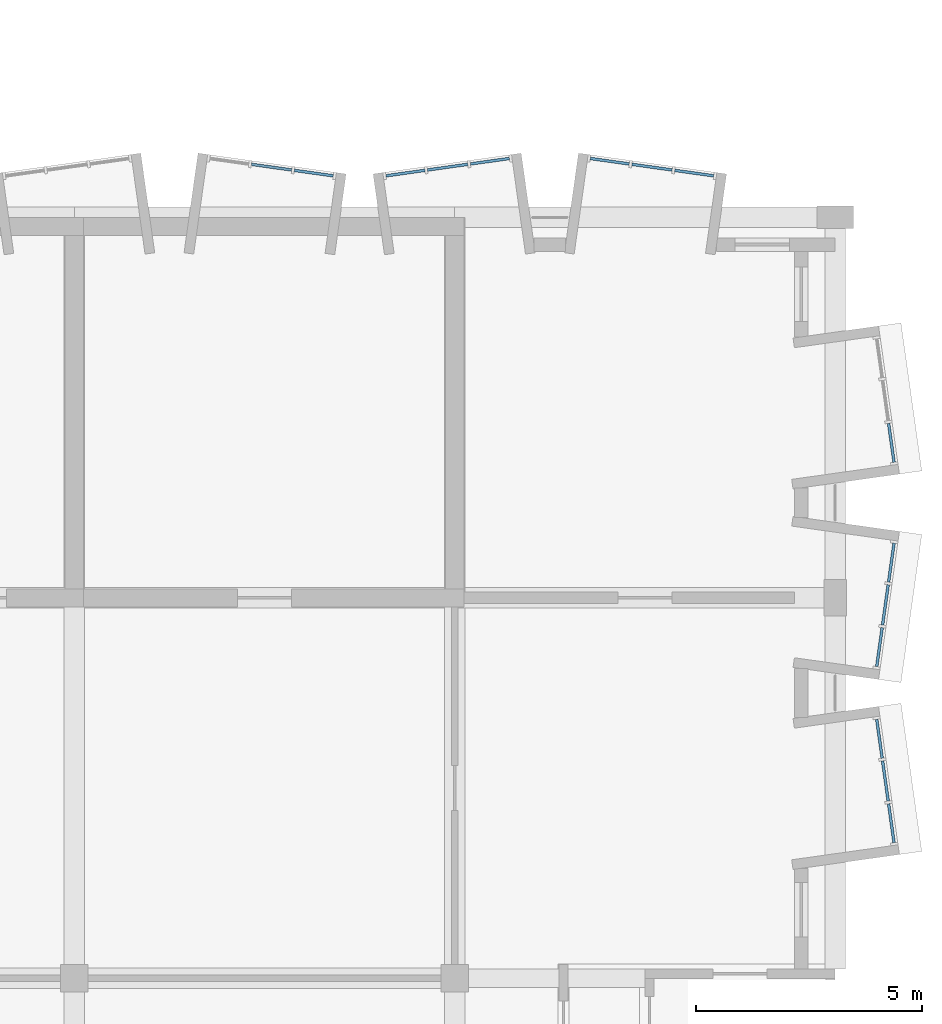
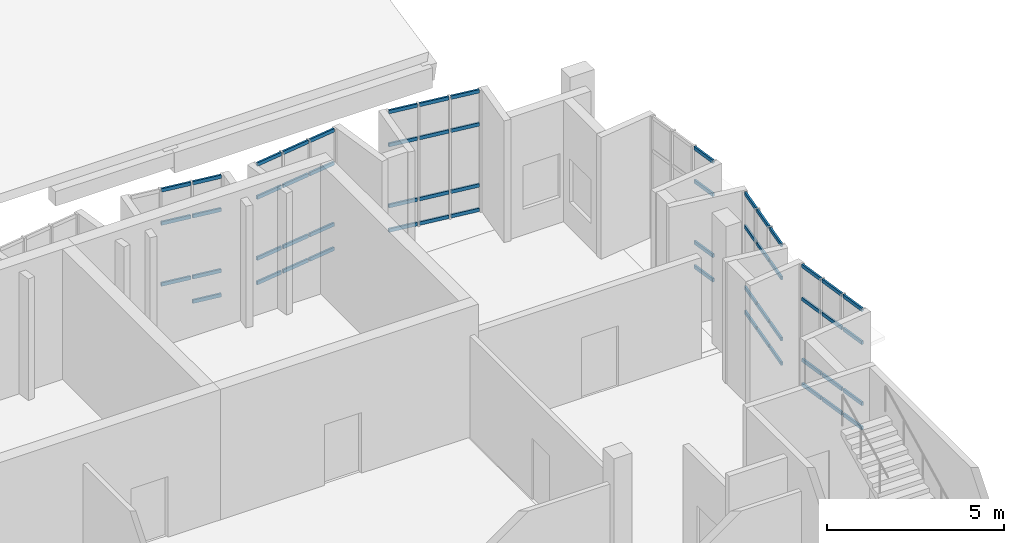
# One storey, part 7 of 19: 59 members, 6 elements without a shape of their own.
"""IFC4 building model written with IfcOpenShell, lengths in metres."""

from ifc_helpers import new_model, si_unit, direction, frame, origin, origin_2d, place, context, subcontext, project, spatial, rectangle, extrude, material, layer, layer_set, material_profile, profile_set, type_object, element, aggregate, save


model = new_model("IFC4")

# Units and contexts
model_context = context("Model", 3, precision=1e-05, world=origin(), true_north=direction((0.0, 1.0)))
body_context = subcontext(model_context, "Body", "Model", "MODEL_VIEW")
ifc_project = project(units=[si_unit("LENGTHUNIT", "METRE"), si_unit("AREAUNIT", "SQUARE_METRE"), si_unit("VOLUMEUNIT", "CUBIC_METRE"), si_unit("PLANEANGLEUNIT", "RADIAN"), si_unit("MASSUNIT", "GRAM", prefix="KILO")], contexts=[model_context])

# Site, building, storey
site_placement = place(None, origin())
site = spatial("IfcSite", under=ifc_project, at=site_placement, CompositionType="ELEMENT")
building_placement = place(site_placement, origin())
building = spatial("IfcBuilding", under=site, at=building_placement, Name="Kiln Court Media Centre", CompositionType="ELEMENT")
storey_placement = place(building_placement, frame((0.0, 0.0, 29.10009765625)))
storey = spatial("IfcBuildingStorey", under=building, at=storey_placement, Name="L06", CompositionType="ELEMENT", Elevation=29.10009765625)

# Curtain wall, members
ifc_material_1 = material(Name="Aluminium 6063-T6", Category="aluminium")
ifc_layer = layer(ifc_material_1, 0.1201171875)
ifc_layer_set = layer_set([ifc_layer], Name="Aluminium unitised bay curtain wall")
curtain_wall_type = type_object("IfcCurtainWallType", Name="Aluminium unitised bay curtain wall", PredefinedType="USERDEFINED", material=ifc_layer_set)
curtain_wall_1_placement = place(storey_placement, origin())
curtain_wall_1 = element("IfcCurtainWall", 1, at=curtain_wall_1_placement, inside=storey, type_object=curtain_wall_type, Name="BAY V6A-E-L06-09 front", ObjectType="UNITISED CURTAIN WALL", PredefinedType="USERDEFINED")
ifc_material_2 = material(Name="Aluminium 6063-T6", Category="aluminium")
ifc_material_profile = material_profile(ifc_material_2, rectangle(XDim=0.06005859375, YDim=0.1201171875, at=origin_2d()), Name="Aluminium transom 60x120")
ifc_profile_set = profile_set([ifc_material_profile], Name="Aluminium 6063-T6")
member_type = type_object("IfcMemberType", Name="Aluminium transom 60x120", PredefinedType="USERDEFINED", material=ifc_profile_set)
member_1_placement = place(storey_placement, frame((34.900390625, 11.394287109375, 0.059814453125), z_axis=(-0.139172815303, 0.990268108888, 0.0), x_axis=(-0.990268108888, -0.139172815303, 0.0)))
member_1 = element("IfcMember", 2, at=member_1_placement, type_object=member_type, Name="CW6-01 transom 1.1", ObjectType="TRANSOM", PredefinedType="USERDEFINED", context=body_context, shape_type="SweptSolid", body=[
    extrude(rectangle(XDim=0.06005859375, YDim=0.1201171875, at=origin_2d()), origin(), (0.0, 0.0, 1.0), 0.86669921875),
])
member_2_placement = place(storey_placement, frame((34.900390625, 11.394287109375, 0.89990234375), z_axis=(-0.139172815303, 0.990268108888, 0.0), x_axis=(-0.990268108888, -0.139172815303, 0.0)))
member_2 = element("IfcMember", 3, at=member_2_placement, type_object=member_type, Name="CW6-01 transom 1.2", ObjectType="TRANSOM", PredefinedType="USERDEFINED", context=body_context, shape_type="SweptSolid", body=[
    extrude(rectangle(XDim=0.06005859375, YDim=0.1201171875, at=origin_2d()), origin(), (0.0, 0.0, 1.0), 0.86669921875),
])
member_3_placement = place(storey_placement, frame((34.900390625, 11.394287109375, 3.0), z_axis=(-0.139172815303, 0.990268108888, 0.0), x_axis=(-0.990268108888, -0.139172815303, 0.0)))
member_3 = element("IfcMember", 4, at=member_3_placement, type_object=member_type, Name="CW6-01 transom 1.3", ObjectType="TRANSOM", PredefinedType="USERDEFINED", context=body_context, shape_type="SweptSolid", body=[
    extrude(rectangle(XDim=0.06005859375, YDim=0.1201171875, at=origin_2d()), origin(), (0.0, 0.0, 1.0), 0.86669921875),
])
member_4_placement = place(storey_placement, frame((34.900390625, 11.394287109375, 4.139892578125), z_axis=(-0.139172815303, 0.990268108888, 0.0), x_axis=(-0.990268108888, -0.139172815303, 0.0)))
member_4 = element("IfcMember", 5, at=member_4_placement, type_object=member_type, Name="CW6-01 transom 1.4", ObjectType="TRANSOM", PredefinedType="USERDEFINED", context=body_context, shape_type="SweptSolid", body=[
    extrude(rectangle(XDim=0.06005859375, YDim=0.1201171875, at=origin_2d()), origin(), (0.0, 0.0, 1.0), 0.86669921875),
])
member_5_placement = place(storey_placement, frame((34.771484375, 12.311767578125, 0.059814453125), z_axis=(-0.13913384707, 0.990273584723, 0.0), x_axis=(-0.990273584723, -0.13913384707, 0.0)))
member_5 = element("IfcMember", 6, at=member_5_placement, type_object=member_type, Name="CW6-01 transom 2.1", ObjectType="TRANSOM", PredefinedType="USERDEFINED", context=body_context, shape_type="SweptSolid", body=[
    extrude(rectangle(XDim=0.06005859375, YDim=0.1201171875, at=origin_2d()), origin(), (0.0, 0.0, 1.0), 0.896728515625),
])
member_6_placement = place(storey_placement, frame((34.771484375, 12.311767578125, 0.89990234375), z_axis=(-0.13913384707, 0.990273584723, 0.0), x_axis=(-0.990273584723, -0.13913384707, 0.0)))
member_6 = element("IfcMember", 7, at=member_6_placement, type_object=member_type, Name="CW6-01 transom 2.2", ObjectType="TRANSOM", PredefinedType="USERDEFINED", context=body_context, shape_type="SweptSolid", body=[
    extrude(rectangle(XDim=0.06005859375, YDim=0.1201171875, at=origin_2d()), origin(), (0.0, 0.0, 1.0), 0.896728515625),
])
member_7_placement = place(storey_placement, frame((34.771484375, 12.311767578125, 3.0), z_axis=(-0.13913384707, 0.990273584723, 0.0), x_axis=(-0.990273584723, -0.13913384707, 0.0)))
member_7 = element("IfcMember", 8, at=member_7_placement, type_object=member_type, Name="CW6-01 transom 2.3", ObjectType="TRANSOM", PredefinedType="USERDEFINED", context=body_context, shape_type="SweptSolid", body=[
    extrude(rectangle(XDim=0.06005859375, YDim=0.1201171875, at=origin_2d()), origin(), (0.0, 0.0, 1.0), 0.896728515625),
])
member_8_placement = place(storey_placement, frame((34.771484375, 12.311767578125, 4.139892578125), z_axis=(-0.13913384707, 0.990273584723, 0.0), x_axis=(-0.990273584723, -0.13913384707, 0.0)))
member_8 = element("IfcMember", 9, at=member_8_placement, type_object=member_type, Name="CW6-01 transom 2.4", ObjectType="TRANSOM", PredefinedType="USERDEFINED", context=body_context, shape_type="SweptSolid", body=[
    extrude(rectangle(XDim=0.06005859375, YDim=0.1201171875, at=origin_2d()), origin(), (0.0, 0.0, 1.0), 0.896728515625),
])
member_9_placement = place(storey_placement, frame((34.638427734375, 13.25927734375, 0.059814453125), z_axis=(-0.139172815303, 0.990268108888, 0.0), x_axis=(-0.990268108888, -0.139172815303, 0.0)))
member_9 = element("IfcMember", 10, at=member_9_placement, type_object=member_type, Name="CW6-01 transom 3.1", ObjectType="TRANSOM", PredefinedType="USERDEFINED", context=body_context, shape_type="SweptSolid", body=[
    extrude(rectangle(XDim=0.06005859375, YDim=0.1201171875, at=origin_2d()), origin(), (0.0, 0.0, 1.0), 0.86669921875),
])
member_10_placement = place(storey_placement, frame((34.638427734375, 13.25927734375, 0.89990234375), z_axis=(-0.139172815303, 0.990268108888, 0.0), x_axis=(-0.990268108888, -0.139172815303, 0.0)))
member_10 = element("IfcMember", 11, at=member_10_placement, type_object=member_type, Name="CW6-01 transom 3.2", ObjectType="TRANSOM", PredefinedType="USERDEFINED", context=body_context, shape_type="SweptSolid", body=[
    extrude(rectangle(XDim=0.06005859375, YDim=0.1201171875, at=origin_2d()), origin(), (0.0, 0.0, 1.0), 0.86669921875),
])
member_11_placement = place(storey_placement, frame((34.638427734375, 13.25927734375, 3.0), z_axis=(-0.139172815303, 0.990268108888, 0.0), x_axis=(-0.990268108888, -0.139172815303, 0.0)))
member_11 = element("IfcMember", 12, at=member_11_placement, type_object=member_type, Name="CW6-01 transom 3.3", ObjectType="TRANSOM", PredefinedType="USERDEFINED", context=body_context, shape_type="SweptSolid", body=[
    extrude(rectangle(XDim=0.06005859375, YDim=0.1201171875, at=origin_2d()), origin(), (0.0, 0.0, 1.0), 0.86669921875),
])
member_12_placement = place(storey_placement, frame((34.638427734375, 13.25927734375, 4.139892578125), z_axis=(-0.139172815303, 0.990268108888, 0.0), x_axis=(-0.990268108888, -0.139172815303, 0.0)))
member_12 = element("IfcMember", 13, at=member_12_placement, type_object=member_type, Name="CW6-01 transom 3.4", ObjectType="TRANSOM", PredefinedType="USERDEFINED", context=body_context, shape_type="SweptSolid", body=[
    extrude(rectangle(XDim=0.06005859375, YDim=0.1201171875, at=origin_2d()), origin(), (0.0, 0.0, 1.0), 0.86669921875),
])
aggregate(curtain_wall_1, [member_1, member_2, member_3, member_4, member_5, member_6, member_7, member_8, member_9, member_10, member_11, member_12])

curtain_wall_2_placement = place(storey_placement, origin())
curtain_wall_2 = element("IfcCurtainWall", 14, at=curtain_wall_2_placement, inside=storey, type_object=curtain_wall_type, Name="BAY V6A-E-L06-10 front", ObjectType="UNITISED CURTAIN WALL", PredefinedType="USERDEFINED")
member_13_placement = place(storey_placement, frame((34.517822265625, 15.282470703125, 0.059814453125), z_axis=(0.139133998951, 0.990273563383, 0.0), x_axis=(-0.990273563383, 0.139133998951, 0.0)))
member_13 = element("IfcMember", 15, at=member_13_placement, type_object=member_type, Name="CW6-02 transom 1.1", ObjectType="TRANSOM", PredefinedType="USERDEFINED", context=body_context, shape_type="SweptSolid", body=[
    extrude(rectangle(XDim=0.06005859375, YDim=0.1201171875, at=origin_2d()), origin(), (0.0, 0.0, 1.0), 0.866943359375),
])
member_14_placement = place(storey_placement, frame((34.517822265625, 15.282470703125, 0.89990234375), z_axis=(0.139133998951, 0.990273563383, 0.0), x_axis=(-0.990273563383, 0.139133998951, 0.0)))
member_14 = element("IfcMember", 16, at=member_14_placement, type_object=member_type, Name="CW6-02 transom 1.2", ObjectType="TRANSOM", PredefinedType="USERDEFINED", context=body_context, shape_type="SweptSolid", body=[
    extrude(rectangle(XDim=0.06005859375, YDim=0.1201171875, at=origin_2d()), origin(), (0.0, 0.0, 1.0), 0.866943359375),
])
member_15_placement = place(storey_placement, frame((34.517822265625, 15.282470703125, 3.0), z_axis=(0.139133998951, 0.990273563383, 0.0), x_axis=(-0.990273563383, 0.139133998951, 0.0)))
member_15 = element("IfcMember", 17, at=member_15_placement, type_object=member_type, Name="CW6-02 transom 1.3", ObjectType="TRANSOM", PredefinedType="USERDEFINED", context=body_context, shape_type="SweptSolid", body=[
    extrude(rectangle(XDim=0.06005859375, YDim=0.1201171875, at=origin_2d()), origin(), (0.0, 0.0, 1.0), 0.866943359375),
])
member_16_placement = place(storey_placement, frame((34.517822265625, 15.282470703125, 4.139892578125), z_axis=(0.139133998951, 0.990273563383, 0.0), x_axis=(-0.990273563383, 0.139133998951, 0.0)))
member_16 = element("IfcMember", 18, at=member_16_placement, type_object=member_type, Name="CW6-02 transom 1.4", ObjectType="TRANSOM", PredefinedType="USERDEFINED", context=body_context, shape_type="SweptSolid", body=[
    extrude(rectangle(XDim=0.06005859375, YDim=0.1201171875, at=origin_2d()), origin(), (0.0, 0.0, 1.0), 0.866943359375),
])
member_17_placement = place(storey_placement, frame((34.646728515625, 16.2001953125, 0.059814453125), z_axis=(0.13913384707, 0.990273584723, 0.0), x_axis=(-0.990273584723, 0.13913384707, 0.0)))
member_17 = element("IfcMember", 19, at=member_17_placement, type_object=member_type, Name="CW6-02 transom 2.1", ObjectType="TRANSOM", PredefinedType="USERDEFINED", context=body_context, shape_type="SweptSolid", body=[
    extrude(rectangle(XDim=0.06005859375, YDim=0.1201171875, at=origin_2d()), origin(), (0.0, 0.0, 1.0), 0.896728515625),
])
member_18_placement = place(storey_placement, frame((34.646728515625, 16.2001953125, 0.89990234375), z_axis=(0.13913384707, 0.990273584723, 0.0), x_axis=(-0.990273584723, 0.13913384707, 0.0)))
member_18 = element("IfcMember", 20, at=member_18_placement, type_object=member_type, Name="CW6-02 transom 2.2", ObjectType="TRANSOM", PredefinedType="USERDEFINED", context=body_context, shape_type="SweptSolid", body=[
    extrude(rectangle(XDim=0.06005859375, YDim=0.1201171875, at=origin_2d()), origin(), (0.0, 0.0, 1.0), 0.896728515625),
])
member_19_placement = place(storey_placement, frame((34.646728515625, 16.2001953125, 3.0), z_axis=(0.13913384707, 0.990273584723, 0.0), x_axis=(-0.990273584723, 0.13913384707, 0.0)))
member_19 = element("IfcMember", 21, at=member_19_placement, type_object=member_type, Name="CW6-02 transom 2.3", ObjectType="TRANSOM", PredefinedType="USERDEFINED", context=body_context, shape_type="SweptSolid", body=[
    extrude(rectangle(XDim=0.06005859375, YDim=0.1201171875, at=origin_2d()), origin(), (0.0, 0.0, 1.0), 0.896728515625),
])
member_20_placement = place(storey_placement, frame((34.646728515625, 16.2001953125, 4.139892578125), z_axis=(0.13913384707, 0.990273584723, 0.0), x_axis=(-0.990273584723, 0.13913384707, 0.0)))
member_20 = element("IfcMember", 22, at=member_20_placement, type_object=member_type, Name="CW6-02 transom 2.4", ObjectType="TRANSOM", PredefinedType="USERDEFINED", context=body_context, shape_type="SweptSolid", body=[
    extrude(rectangle(XDim=0.06005859375, YDim=0.1201171875, at=origin_2d()), origin(), (0.0, 0.0, 1.0), 0.896728515625),
])
member_21_placement = place(storey_placement, frame((34.77978515625, 17.1474609375, 0.059814453125), z_axis=(0.139133998951, 0.990273563383, 0.0), x_axis=(-0.990273563383, 0.139133998951, 0.0)))
member_21 = element("IfcMember", 23, at=member_21_placement, type_object=member_type, Name="CW6-02 transom 3.1", ObjectType="TRANSOM", PredefinedType="USERDEFINED", context=body_context, shape_type="SweptSolid", body=[
    extrude(rectangle(XDim=0.06005859375, YDim=0.1201171875, at=origin_2d()), origin(), (0.0, 0.0, 1.0), 0.866943359375),
])
member_22_placement = place(storey_placement, frame((34.77978515625, 17.1474609375, 0.89990234375), z_axis=(0.139133998951, 0.990273563383, 0.0), x_axis=(-0.990273563383, 0.139133998951, 0.0)))
member_22 = element("IfcMember", 24, at=member_22_placement, type_object=member_type, Name="CW6-02 transom 3.2", ObjectType="TRANSOM", PredefinedType="USERDEFINED", context=body_context, shape_type="SweptSolid", body=[
    extrude(rectangle(XDim=0.06005859375, YDim=0.1201171875, at=origin_2d()), origin(), (0.0, 0.0, 1.0), 0.866943359375),
])
member_23_placement = place(storey_placement, frame((34.77978515625, 17.1474609375, 3.0), z_axis=(0.139133998951, 0.990273563383, 0.0), x_axis=(-0.990273563383, 0.139133998951, 0.0)))
member_23 = element("IfcMember", 25, at=member_23_placement, type_object=member_type, Name="CW6-02 transom 3.3", ObjectType="TRANSOM", PredefinedType="USERDEFINED", context=body_context, shape_type="SweptSolid", body=[
    extrude(rectangle(XDim=0.06005859375, YDim=0.1201171875, at=origin_2d()), origin(), (0.0, 0.0, 1.0), 0.866943359375),
])
member_24_placement = place(storey_placement, frame((34.77978515625, 17.1474609375, 4.139892578125), z_axis=(0.139133998951, 0.990273563383, 0.0), x_axis=(-0.990273563383, 0.139133998951, 0.0)))
member_24 = element("IfcMember", 26, at=member_24_placement, type_object=member_type, Name="CW6-02 transom 3.4", ObjectType="TRANSOM", PredefinedType="USERDEFINED", context=body_context, shape_type="SweptSolid", body=[
    extrude(rectangle(XDim=0.06005859375, YDim=0.1201171875, at=origin_2d()), origin(), (0.0, 0.0, 1.0), 0.866943359375),
])
aggregate(curtain_wall_2, [member_13, member_14, member_15, member_16, member_17, member_18, member_19, member_20, member_21, member_22, member_23, member_24])

curtain_wall_3_placement = place(storey_placement, origin())
curtain_wall_3 = element("IfcCurtainWall", 27, at=curtain_wall_3_placement, inside=storey, type_object=curtain_wall_type, Name="BAY V6A-E-L06-11 front", ObjectType="UNITISED CURTAIN WALL", PredefinedType="USERDEFINED")
member_25_placement = place(storey_placement, frame((34.900390625, 19.794189453125, 0.059814453125), z_axis=(-0.139172815303, 0.990268108888, 0.0), x_axis=(-0.990268108888, -0.139172815303, 0.0)))
member_25 = element("IfcMember", 28, at=member_25_placement, type_object=member_type, Name="CW6-03 transom 1.1", ObjectType="TRANSOM", PredefinedType="USERDEFINED", context=body_context, shape_type="SweptSolid", body=[
    extrude(rectangle(XDim=0.06005859375, YDim=0.1201171875, at=origin_2d()), origin(), (0.0, 0.0, 1.0), 0.86669921875),
])
member_26_placement = place(storey_placement, frame((34.900390625, 19.794189453125, 0.89990234375), z_axis=(-0.139172815303, 0.990268108888, 0.0), x_axis=(-0.990268108888, -0.139172815303, 0.0)))
member_26 = element("IfcMember", 29, at=member_26_placement, type_object=member_type, Name="CW6-03 transom 1.2", ObjectType="TRANSOM", PredefinedType="USERDEFINED", context=body_context, shape_type="SweptSolid", body=[
    extrude(rectangle(XDim=0.06005859375, YDim=0.1201171875, at=origin_2d()), origin(), (0.0, 0.0, 1.0), 0.86669921875),
])
member_27_placement = place(storey_placement, frame((34.900390625, 19.794189453125, 3.0), z_axis=(-0.139172815303, 0.990268108888, 0.0), x_axis=(-0.990268108888, -0.139172815303, 0.0)))
member_27 = element("IfcMember", 30, at=member_27_placement, type_object=member_type, Name="CW6-03 transom 1.3", ObjectType="TRANSOM", PredefinedType="USERDEFINED", context=body_context, shape_type="SweptSolid", body=[
    extrude(rectangle(XDim=0.06005859375, YDim=0.1201171875, at=origin_2d()), origin(), (0.0, 0.0, 1.0), 0.86669921875),
])
member_28_placement = place(storey_placement, frame((34.900390625, 19.794189453125, 4.139892578125), z_axis=(-0.139172815303, 0.990268108888, 0.0), x_axis=(-0.990268108888, -0.139172815303, 0.0)))
member_28 = element("IfcMember", 31, at=member_28_placement, type_object=member_type, Name="CW6-03 transom 1.4", ObjectType="TRANSOM", PredefinedType="USERDEFINED", context=body_context, shape_type="SweptSolid", body=[
    extrude(rectangle(XDim=0.06005859375, YDim=0.1201171875, at=origin_2d()), origin(), (0.0, 0.0, 1.0), 0.86669921875),
])
aggregate(curtain_wall_3, [member_25, member_26, member_27, member_28])

curtain_wall_4_placement = place(storey_placement, origin())
curtain_wall_4 = element("IfcCurtainWall", 32, at=curtain_wall_4_placement, inside=storey, type_object=curtain_wall_type, Name="BAY V6A-N-L06-41 front", ObjectType="UNITISED CURTAIN WALL", PredefinedType="USERDEFINED")
member_29_placement = place(storey_placement, frame((20.7119140625, 26.37158203125, 0.89990234375), z_axis=(0.990273584723, -0.13913384707, 0.0), x_axis=(0.13913384707, 0.990273584723, 0.0)))
member_29 = element("IfcMember", 33, at=member_29_placement, type_object=member_type, Name="CW6-07 transom 2.2", ObjectType="TRANSOM", PredefinedType="USERDEFINED", context=body_context, shape_type="SweptSolid", body=[
    extrude(rectangle(XDim=0.06005859375, YDim=0.1201171875, at=origin_2d()), origin(), (0.0, 0.0, 1.0), 0.896728515625),
])
member_30_placement = place(storey_placement, frame((20.7119140625, 26.37158203125, 3.0), z_axis=(0.990273584723, -0.13913384707, 0.0), x_axis=(0.13913384707, 0.990273584723, 0.0)))
member_30 = element("IfcMember", 34, at=member_30_placement, type_object=member_type, Name="CW6-07 transom 2.3", ObjectType="TRANSOM", PredefinedType="USERDEFINED", context=body_context, shape_type="SweptSolid", body=[
    extrude(rectangle(XDim=0.06005859375, YDim=0.1201171875, at=origin_2d()), origin(), (0.0, 0.0, 1.0), 0.896728515625),
])
member_31_placement = place(storey_placement, frame((20.7119140625, 26.37158203125, 4.139892578125), z_axis=(0.990273584723, -0.13913384707, 0.0), x_axis=(0.13913384707, 0.990273584723, 0.0)))
member_31 = element("IfcMember", 35, at=member_31_placement, type_object=member_type, Name="CW6-07 transom 2.4", ObjectType="TRANSOM", PredefinedType="USERDEFINED", context=body_context, shape_type="SweptSolid", body=[
    extrude(rectangle(XDim=0.06005859375, YDim=0.1201171875, at=origin_2d()), origin(), (0.0, 0.0, 1.0), 0.896728515625),
])
member_32_placement = place(storey_placement, frame((21.6591796875, 26.23828125, 0.059814453125), z_axis=(0.990273563383, -0.139133998951, 0.0), x_axis=(0.139133998951, 0.990273563383, 0.0)))
member_32 = element("IfcMember", 36, at=member_32_placement, type_object=member_type, Name="CW6-07 transom 3.1", ObjectType="TRANSOM", PredefinedType="USERDEFINED", context=body_context, shape_type="SweptSolid", body=[
    extrude(rectangle(XDim=0.06005859375, YDim=0.1201171875, at=origin_2d()), origin(), (0.0, 0.0, 1.0), 0.866943359375),
])
member_33_placement = place(storey_placement, frame((21.6591796875, 26.23828125, 0.89990234375), z_axis=(0.990273563383, -0.139133998951, 0.0), x_axis=(0.139133998951, 0.990273563383, 0.0)))
member_33 = element("IfcMember", 37, at=member_33_placement, type_object=member_type, Name="CW6-07 transom 3.2", ObjectType="TRANSOM", PredefinedType="USERDEFINED", context=body_context, shape_type="SweptSolid", body=[
    extrude(rectangle(XDim=0.06005859375, YDim=0.1201171875, at=origin_2d()), origin(), (0.0, 0.0, 1.0), 0.866943359375),
])
member_34_placement = place(storey_placement, frame((21.6591796875, 26.23828125, 3.0), z_axis=(0.990273563383, -0.139133998951, 0.0), x_axis=(0.139133998951, 0.990273563383, 0.0)))
member_34 = element("IfcMember", 38, at=member_34_placement, type_object=member_type, Name="CW6-07 transom 3.3", ObjectType="TRANSOM", PredefinedType="USERDEFINED", context=body_context, shape_type="SweptSolid", body=[
    extrude(rectangle(XDim=0.06005859375, YDim=0.1201171875, at=origin_2d()), origin(), (0.0, 0.0, 1.0), 0.866943359375),
])
member_35_placement = place(storey_placement, frame((21.6591796875, 26.23828125, 4.139892578125), z_axis=(0.990273563383, -0.139133998951, 0.0), x_axis=(0.139133998951, 0.990273563383, 0.0)))
member_35 = element("IfcMember", 39, at=member_35_placement, type_object=member_type, Name="CW6-07 transom 3.4", ObjectType="TRANSOM", PredefinedType="USERDEFINED", context=body_context, shape_type="SweptSolid", body=[
    extrude(rectangle(XDim=0.06005859375, YDim=0.1201171875, at=origin_2d()), origin(), (0.0, 0.0, 1.0), 0.866943359375),
])
aggregate(curtain_wall_4, [member_29, member_30, member_31, member_32, member_33, member_34, member_35])

curtain_wall_5_placement = place(storey_placement, origin())
curtain_wall_5 = element("IfcCurtainWall", 40, at=curtain_wall_5_placement, inside=storey, type_object=curtain_wall_type, Name="BAY V6A-N-L06-42 front", ObjectType="UNITISED CURTAIN WALL", PredefinedType="USERDEFINED")
member_36_placement = place(storey_placement, frame((23.6826171875, 26.11767578125, 0.059814453125), z_axis=(0.990268108888, 0.139172815303, 0.0), x_axis=(-0.139172815303, 0.990268108888, 0.0)))
member_36 = element("IfcMember", 41, at=member_36_placement, type_object=member_type, Name="CW6-08 transom 1.1", ObjectType="TRANSOM", PredefinedType="USERDEFINED", context=body_context, shape_type="SweptSolid", body=[
    extrude(rectangle(XDim=0.06005859375, YDim=0.1201171875, at=origin_2d()), origin(), (0.0, 0.0, 1.0), 0.86669921875),
])
member_37_placement = place(storey_placement, frame((23.6826171875, 26.11767578125, 0.89990234375), z_axis=(0.990268108888, 0.139172815303, 0.0), x_axis=(-0.139172815303, 0.990268108888, 0.0)))
member_37 = element("IfcMember", 42, at=member_37_placement, type_object=member_type, Name="CW6-08 transom 1.2", ObjectType="TRANSOM", PredefinedType="USERDEFINED", context=body_context, shape_type="SweptSolid", body=[
    extrude(rectangle(XDim=0.06005859375, YDim=0.1201171875, at=origin_2d()), origin(), (0.0, 0.0, 1.0), 0.86669921875),
])
member_38_placement = place(storey_placement, frame((23.6826171875, 26.11767578125, 3.0), z_axis=(0.990268108888, 0.139172815303, 0.0), x_axis=(-0.139172815303, 0.990268108888, 0.0)))
member_38 = element("IfcMember", 43, at=member_38_placement, type_object=member_type, Name="CW6-08 transom 1.3", ObjectType="TRANSOM", PredefinedType="USERDEFINED", context=body_context, shape_type="SweptSolid", body=[
    extrude(rectangle(XDim=0.06005859375, YDim=0.1201171875, at=origin_2d()), origin(), (0.0, 0.0, 1.0), 0.86669921875),
])
member_39_placement = place(storey_placement, frame((23.6826171875, 26.11767578125, 4.139892578125), z_axis=(0.990268108888, 0.139172815303, 0.0), x_axis=(-0.139172815303, 0.990268108888, 0.0)))
member_39 = element("IfcMember", 44, at=member_39_placement, type_object=member_type, Name="CW6-08 transom 1.4", ObjectType="TRANSOM", PredefinedType="USERDEFINED", context=body_context, shape_type="SweptSolid", body=[
    extrude(rectangle(XDim=0.06005859375, YDim=0.1201171875, at=origin_2d()), origin(), (0.0, 0.0, 1.0), 0.86669921875),
])
member_40_placement = place(storey_placement, frame((24.60009765625, 26.246826171875, 0.059814453125), z_axis=(0.990273584723, 0.13913384707, 0.0), x_axis=(-0.13913384707, 0.990273584723, 0.0)))
member_40 = element("IfcMember", 45, at=member_40_placement, type_object=member_type, Name="CW6-08 transom 2.1", ObjectType="TRANSOM", PredefinedType="USERDEFINED", context=body_context, shape_type="SweptSolid", body=[
    extrude(rectangle(XDim=0.06005859375, YDim=0.1201171875, at=origin_2d()), origin(), (0.0, 0.0, 1.0), 0.896728515625),
])
member_41_placement = place(storey_placement, frame((24.60009765625, 26.246826171875, 0.89990234375), z_axis=(0.990273584723, 0.13913384707, 0.0), x_axis=(-0.13913384707, 0.990273584723, 0.0)))
member_41 = element("IfcMember", 46, at=member_41_placement, type_object=member_type, Name="CW6-08 transom 2.2", ObjectType="TRANSOM", PredefinedType="USERDEFINED", context=body_context, shape_type="SweptSolid", body=[
    extrude(rectangle(XDim=0.06005859375, YDim=0.1201171875, at=origin_2d()), origin(), (0.0, 0.0, 1.0), 0.896728515625),
])
member_42_placement = place(storey_placement, frame((24.60009765625, 26.246826171875, 3.0), z_axis=(0.990273584723, 0.13913384707, 0.0), x_axis=(-0.13913384707, 0.990273584723, 0.0)))
member_42 = element("IfcMember", 47, at=member_42_placement, type_object=member_type, Name="CW6-08 transom 2.3", ObjectType="TRANSOM", PredefinedType="USERDEFINED", context=body_context, shape_type="SweptSolid", body=[
    extrude(rectangle(XDim=0.06005859375, YDim=0.1201171875, at=origin_2d()), origin(), (0.0, 0.0, 1.0), 0.896728515625),
])
member_43_placement = place(storey_placement, frame((24.60009765625, 26.246826171875, 4.139892578125), z_axis=(0.990273584723, 0.13913384707, 0.0), x_axis=(-0.13913384707, 0.990273584723, 0.0)))
member_43 = element("IfcMember", 48, at=member_43_placement, type_object=member_type, Name="CW6-08 transom 2.4", ObjectType="TRANSOM", PredefinedType="USERDEFINED", context=body_context, shape_type="SweptSolid", body=[
    extrude(rectangle(XDim=0.06005859375, YDim=0.1201171875, at=origin_2d()), origin(), (0.0, 0.0, 1.0), 0.896728515625),
])
member_44_placement = place(storey_placement, frame((25.547607421875, 26.3798828125, 0.059814453125), z_axis=(0.990268108888, 0.139172815303, 0.0), x_axis=(-0.139172815303, 0.990268108888, 0.0)))
member_44 = element("IfcMember", 49, at=member_44_placement, type_object=member_type, Name="CW6-08 transom 3.1", ObjectType="TRANSOM", PredefinedType="USERDEFINED", context=body_context, shape_type="SweptSolid", body=[
    extrude(rectangle(XDim=0.06005859375, YDim=0.1201171875, at=origin_2d()), origin(), (0.0, 0.0, 1.0), 0.86669921875),
])
member_45_placement = place(storey_placement, frame((25.547607421875, 26.3798828125, 0.89990234375), z_axis=(0.990268108888, 0.139172815303, 0.0), x_axis=(-0.139172815303, 0.990268108888, 0.0)))
member_45 = element("IfcMember", 50, at=member_45_placement, type_object=member_type, Name="CW6-08 transom 3.2", ObjectType="TRANSOM", PredefinedType="USERDEFINED", context=body_context, shape_type="SweptSolid", body=[
    extrude(rectangle(XDim=0.06005859375, YDim=0.1201171875, at=origin_2d()), origin(), (0.0, 0.0, 1.0), 0.86669921875),
])
member_46_placement = place(storey_placement, frame((25.547607421875, 26.3798828125, 3.0), z_axis=(0.990268108888, 0.139172815303, 0.0), x_axis=(-0.139172815303, 0.990268108888, 0.0)))
member_46 = element("IfcMember", 51, at=member_46_placement, type_object=member_type, Name="CW6-08 transom 3.3", ObjectType="TRANSOM", PredefinedType="USERDEFINED", context=body_context, shape_type="SweptSolid", body=[
    extrude(rectangle(XDim=0.06005859375, YDim=0.1201171875, at=origin_2d()), origin(), (0.0, 0.0, 1.0), 0.86669921875),
])
member_47_placement = place(storey_placement, frame((25.547607421875, 26.3798828125, 4.139892578125), z_axis=(0.990268108888, 0.139172815303, 0.0), x_axis=(-0.139172815303, 0.990268108888, 0.0)))
member_47 = element("IfcMember", 52, at=member_47_placement, type_object=member_type, Name="CW6-08 transom 3.4", ObjectType="TRANSOM", PredefinedType="USERDEFINED", context=body_context, shape_type="SweptSolid", body=[
    extrude(rectangle(XDim=0.06005859375, YDim=0.1201171875, at=origin_2d()), origin(), (0.0, 0.0, 1.0), 0.86669921875),
])
aggregate(curtain_wall_5, [member_36, member_37, member_38, member_39, member_40, member_41, member_42, member_43, member_44, member_45, member_46, member_47])

curtain_wall_6_placement = place(storey_placement, origin())
curtain_wall_6 = element("IfcCurtainWall", 53, at=curtain_wall_6_placement, inside=storey, type_object=curtain_wall_type, Name="BAY V6A-N-L06-43 front", ObjectType="UNITISED CURTAIN WALL", PredefinedType="USERDEFINED")
member_48_placement = place(storey_placement, frame((28.1943359375, 26.50048828125, 0.059814453125), z_axis=(0.990268108888, -0.139172815303, 0.0), x_axis=(0.139172815303, 0.990268108888, 0.0)))
member_48 = element("IfcMember", 54, at=member_48_placement, type_object=member_type, Name="CW6-09 transom 1.1", ObjectType="TRANSOM", PredefinedType="USERDEFINED", context=body_context, shape_type="SweptSolid", body=[
    extrude(rectangle(XDim=0.06005859375, YDim=0.1201171875, at=origin_2d()), origin(), (0.0, 0.0, 1.0), 0.86669921875),
])
member_49_placement = place(storey_placement, frame((28.1943359375, 26.50048828125, 0.89990234375), z_axis=(0.990268108888, -0.139172815303, 0.0), x_axis=(0.139172815303, 0.990268108888, 0.0)))
member_49 = element("IfcMember", 55, at=member_49_placement, type_object=member_type, Name="CW6-09 transom 1.2", ObjectType="TRANSOM", PredefinedType="USERDEFINED", context=body_context, shape_type="SweptSolid", body=[
    extrude(rectangle(XDim=0.06005859375, YDim=0.1201171875, at=origin_2d()), origin(), (0.0, 0.0, 1.0), 0.86669921875),
])
member_50_placement = place(storey_placement, frame((28.1943359375, 26.50048828125, 3.0), z_axis=(0.990268108888, -0.139172815303, 0.0), x_axis=(0.139172815303, 0.990268108888, 0.0)))
member_50 = element("IfcMember", 56, at=member_50_placement, type_object=member_type, Name="CW6-09 transom 1.3", ObjectType="TRANSOM", PredefinedType="USERDEFINED", context=body_context, shape_type="SweptSolid", body=[
    extrude(rectangle(XDim=0.06005859375, YDim=0.1201171875, at=origin_2d()), origin(), (0.0, 0.0, 1.0), 0.86669921875),
])
member_51_placement = place(storey_placement, frame((28.1943359375, 26.50048828125, 4.139892578125), z_axis=(0.990268108888, -0.139172815303, 0.0), x_axis=(0.139172815303, 0.990268108888, 0.0)))
member_51 = element("IfcMember", 57, at=member_51_placement, type_object=member_type, Name="CW6-09 transom 1.4", ObjectType="TRANSOM", PredefinedType="USERDEFINED", context=body_context, shape_type="SweptSolid", body=[
    extrude(rectangle(XDim=0.06005859375, YDim=0.1201171875, at=origin_2d()), origin(), (0.0, 0.0, 1.0), 0.86669921875),
])
member_52_placement = place(storey_placement, frame((29.11181640625, 26.37158203125, 0.059814453125), z_axis=(0.990273584723, -0.13913384707, 0.0), x_axis=(0.13913384707, 0.990273584723, 0.0)))
member_52 = element("IfcMember", 58, at=member_52_placement, type_object=member_type, Name="CW6-09 transom 2.1", ObjectType="TRANSOM", PredefinedType="USERDEFINED", context=body_context, shape_type="SweptSolid", body=[
    extrude(rectangle(XDim=0.06005859375, YDim=0.1201171875, at=origin_2d()), origin(), (0.0, 0.0, 1.0), 0.896728515625),
])
member_53_placement = place(storey_placement, frame((29.11181640625, 26.37158203125, 0.89990234375), z_axis=(0.990273584723, -0.13913384707, 0.0), x_axis=(0.13913384707, 0.990273584723, 0.0)))
member_53 = element("IfcMember", 59, at=member_53_placement, type_object=member_type, Name="CW6-09 transom 2.2", ObjectType="TRANSOM", PredefinedType="USERDEFINED", context=body_context, shape_type="SweptSolid", body=[
    extrude(rectangle(XDim=0.06005859375, YDim=0.1201171875, at=origin_2d()), origin(), (0.0, 0.0, 1.0), 0.896728515625),
])
member_54_placement = place(storey_placement, frame((29.11181640625, 26.37158203125, 3.0), z_axis=(0.990273584723, -0.13913384707, 0.0), x_axis=(0.13913384707, 0.990273584723, 0.0)))
member_54 = element("IfcMember", 60, at=member_54_placement, type_object=member_type, Name="CW6-09 transom 2.3", ObjectType="TRANSOM", PredefinedType="USERDEFINED", context=body_context, shape_type="SweptSolid", body=[
    extrude(rectangle(XDim=0.06005859375, YDim=0.1201171875, at=origin_2d()), origin(), (0.0, 0.0, 1.0), 0.896728515625),
])
member_55_placement = place(storey_placement, frame((29.11181640625, 26.37158203125, 4.139892578125), z_axis=(0.990273584723, -0.13913384707, 0.0), x_axis=(0.13913384707, 0.990273584723, 0.0)))
member_55 = element("IfcMember", 61, at=member_55_placement, type_object=member_type, Name="CW6-09 transom 2.4", ObjectType="TRANSOM", PredefinedType="USERDEFINED", context=body_context, shape_type="SweptSolid", body=[
    extrude(rectangle(XDim=0.06005859375, YDim=0.1201171875, at=origin_2d()), origin(), (0.0, 0.0, 1.0), 0.896728515625),
])
member_56_placement = place(storey_placement, frame((30.059326171875, 26.23828125, 0.059814453125), z_axis=(0.990268108888, -0.139172815303, 0.0), x_axis=(0.139172815303, 0.990268108888, 0.0)))
member_56 = element("IfcMember", 62, at=member_56_placement, type_object=member_type, Name="CW6-09 transom 3.1", ObjectType="TRANSOM", PredefinedType="USERDEFINED", context=body_context, shape_type="SweptSolid", body=[
    extrude(rectangle(XDim=0.06005859375, YDim=0.1201171875, at=origin_2d()), origin(), (0.0, 0.0, 1.0), 0.86669921875),
])
member_57_placement = place(storey_placement, frame((30.059326171875, 26.23828125, 0.89990234375), z_axis=(0.990268108888, -0.139172815303, 0.0), x_axis=(0.139172815303, 0.990268108888, 0.0)))
member_57 = element("IfcMember", 63, at=member_57_placement, type_object=member_type, Name="CW6-09 transom 3.2", ObjectType="TRANSOM", PredefinedType="USERDEFINED", context=body_context, shape_type="SweptSolid", body=[
    extrude(rectangle(XDim=0.06005859375, YDim=0.1201171875, at=origin_2d()), origin(), (0.0, 0.0, 1.0), 0.86669921875),
])
member_58_placement = place(storey_placement, frame((30.059326171875, 26.23828125, 3.0), z_axis=(0.990268108888, -0.139172815303, 0.0), x_axis=(0.139172815303, 0.990268108888, 0.0)))
member_58 = element("IfcMember", 64, at=member_58_placement, type_object=member_type, Name="CW6-09 transom 3.3", ObjectType="TRANSOM", PredefinedType="USERDEFINED", context=body_context, shape_type="SweptSolid", body=[
    extrude(rectangle(XDim=0.06005859375, YDim=0.1201171875, at=origin_2d()), origin(), (0.0, 0.0, 1.0), 0.86669921875),
])
member_59_placement = place(storey_placement, frame((30.059326171875, 26.23828125, 4.139892578125), z_axis=(0.990268108888, -0.139172815303, 0.0), x_axis=(0.139172815303, 0.990268108888, 0.0)))
member_59 = element("IfcMember", 65, at=member_59_placement, type_object=member_type, Name="CW6-09 transom 3.4", ObjectType="TRANSOM", PredefinedType="USERDEFINED", context=body_context, shape_type="SweptSolid", body=[
    extrude(rectangle(XDim=0.06005859375, YDim=0.1201171875, at=origin_2d()), origin(), (0.0, 0.0, 1.0), 0.86669921875),
])
aggregate(curtain_wall_6, [member_48, member_49, member_50, member_51, member_52, member_53, member_54, member_55, member_56, member_57, member_58, member_59])

save(model, "model.ifc")
